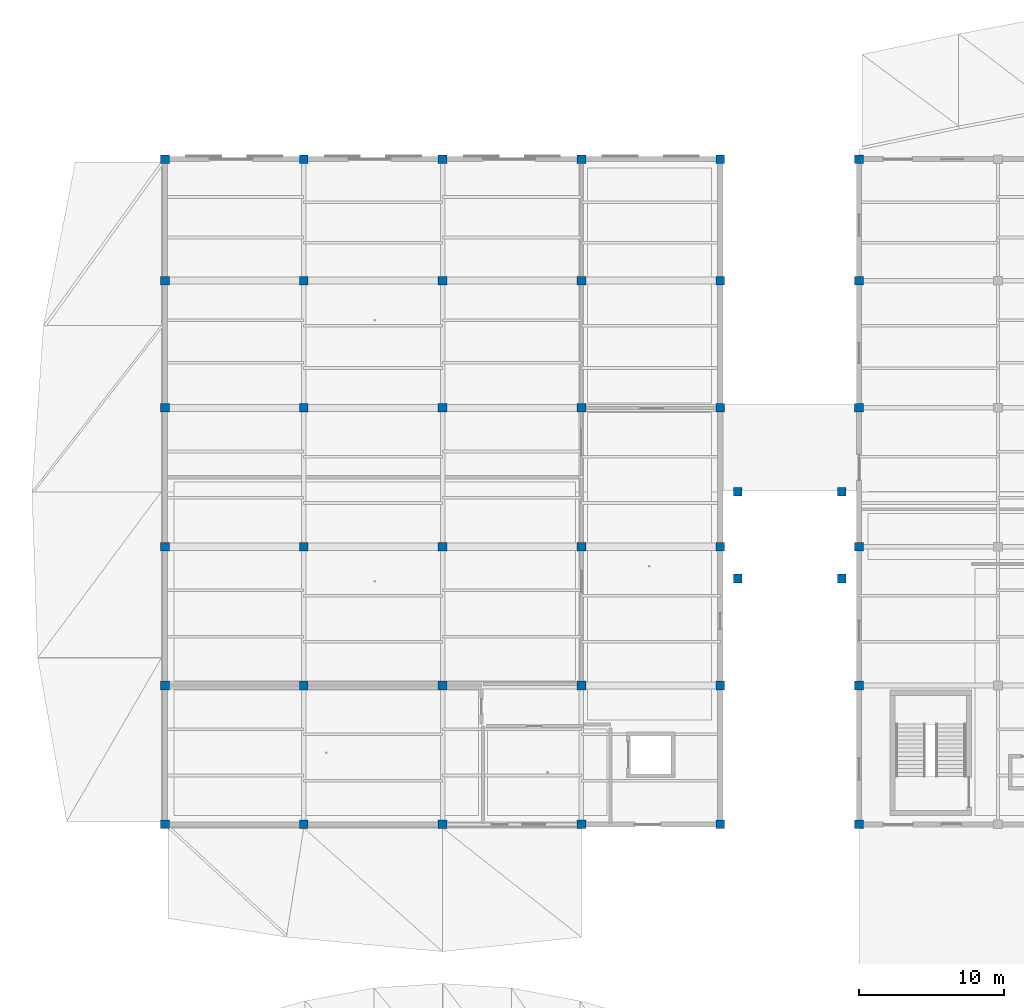
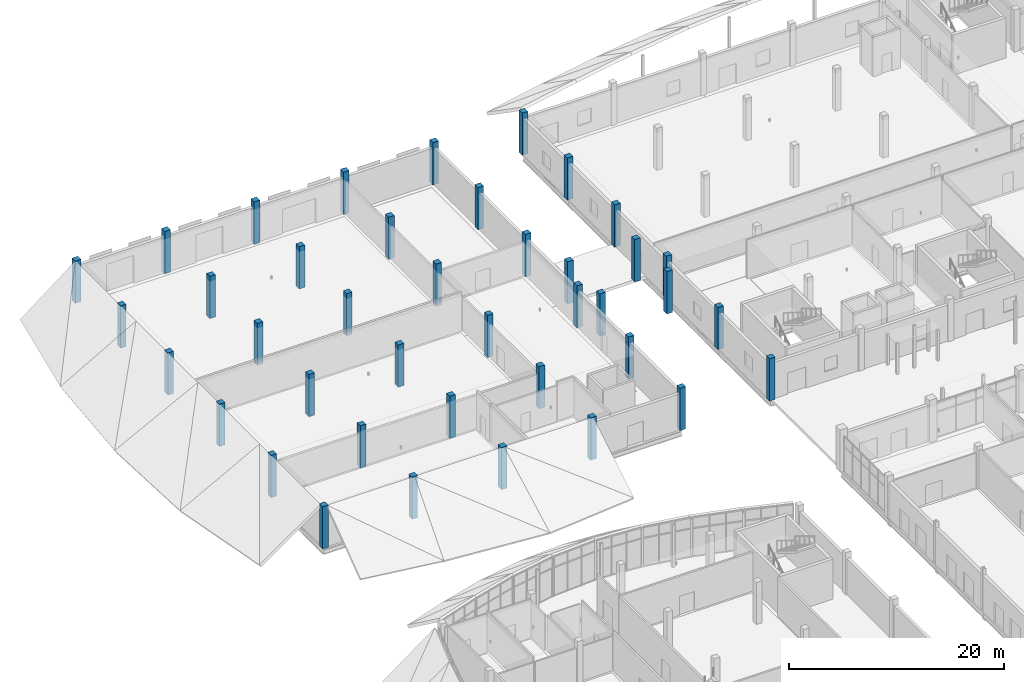
# One storey, part 8 of 116: 40 columns.
"""IFC4 building model written with IfcOpenShell, lengths in metres."""

from ifc_helpers import new_model, si_unit, direction, frame, origin, origin_2d, place, context, subcontext, project, spatial, rectangle, extrude, material, material_profile, profile_set, type_object, element, save


model = new_model("IFC4")

# Units and contexts
model_context = context("Model", 3, precision=1e-05, world=origin(), true_north=direction((0.0, 1.0)))
body_context = subcontext(model_context, "Body", "Model", "MODEL_VIEW")
ifc_project = project(units=[si_unit("LENGTHUNIT", "METRE"), si_unit("AREAUNIT", "SQUARE_METRE"), si_unit("VOLUMEUNIT", "CUBIC_METRE"), si_unit("PLANEANGLEUNIT", "RADIAN"), si_unit("MASSUNIT", "GRAM", prefix="KILO")], contexts=[model_context])

# Site, building, storey
site_placement = place(None, origin())
site = spatial("IfcSite", under=ifc_project, at=site_placement, CompositionType="ELEMENT")
building_placement = place(site_placement, origin())
building = spatial("IfcBuilding", under=site, at=building_placement, Name="Chalmorin Arch Market", CompositionType="ELEMENT")
storey_placement = place(building_placement, origin())
storey = spatial("IfcBuildingStorey", under=building, at=storey_placement, Name="L00", CompositionType="ELEMENT", Elevation=0.0)

# Columns
ifc_material = material(Name="Concrete C40/50", Category="concrete")
ifc_material_profile = material_profile(ifc_material, rectangle(XDim=0.60009765625, YDim=0.60009765625, at=origin_2d()), Name="RC600X600")
ifc_profile_set = profile_set([ifc_material_profile], Name="Concrete C40/50")
column_type = type_object("IfcColumnType", Name="InteriorConcreteColumn-600x600", PredefinedType="COLUMN", material=ifc_profile_set)
for number, where, z_axis, x_axis, name in (
    (1, (0.0, 72.0, 0.0), (0.0, 0.0, 1.0), (1.0, 0.0, 0.0), "C-RC2-028"),
    (2, (0.0, 81.60009765625, 0.0), (0.0, 0.0, 1.0), (1.0, 0.0, 0.0), "C-RC2-030"),
    (3, (0.0, 91.199951171875, 0.0), (0.0, 0.0, 1.0), (1.0, 0.0, 0.0), "C-RC2-032"),
    (4, (0.0, 100.800048828125, 0.0), (0.0, 0.0, 1.0), (1.0, 0.0, 0.0), "C-RC2-034"),
    (5, (0.0, 109.60009765625, 0.0), (0.0, 0.0, 1.0), (1.0, 0.0, 0.0), "C-RC2-036"),
    (6, (0.0, 118.0, 0.0), (0.0, 0.0, 1.0), (1.0, 0.0, 0.0), "C-RC2-038"),
    (7, (9.60009765625, 72.0, 0.0), (0.0, 0.0, 1.0), (1.0, 0.0, 0.0), "C-RC2-066"),
    (8, (9.60009765625, 81.60009765625, 0.0), (0.0, 0.0, 1.0), (1.0, 0.0, 0.0), "C-RC2-068"),
    (9, (9.60009765625, 91.199951171875, 0.0), (0.0, 0.0, 1.0), (1.0, 0.0, 0.0), "C-RC2-070"),
    (10, (9.60009765625, 100.800048828125, 0.0), (0.0, 0.0, 1.0), (1.0, 0.0, 0.0), "C-RC2-072"),
    (11, (9.60009765625, 109.60009765625, 0.0), (0.0, 0.0, 1.0), (1.0, 0.0, 0.0), "C-RC2-074"),
    (12, (9.60009765625, 118.0, 0.0), (0.0, 0.0, 1.0), (1.0, 0.0, 0.0), "C-RC2-076"),
    (13, (19.199951171875, 72.0, 0.0), (0.0, 0.0, 1.0), (1.0, 0.0, 0.0), "C-RC2-103"),
    (14, (19.199951171875, 81.60009765625, 0.0), (0.0, 0.0, 1.0), (1.0, 0.0, 0.0), "C-RC2-105"),
    (15, (19.199951171875, 91.199951171875, 0.0), (0.0, 0.0, 1.0), (1.0, 0.0, 0.0), "C-RC2-107"),
    (16, (19.199951171875, 100.800048828125, 0.0), (0.0, 0.0, 1.0), (1.0, 0.0, 0.0), "C-RC2-109"),
    (17, (19.199951171875, 109.60009765625, 0.0), (0.0, 0.0, 1.0), (1.0, 0.0, 0.0), "C-RC2-111"),
    (18, (19.199951171875, 118.0, 0.0), (0.0, 0.0, 1.0), (1.0, 0.0, 0.0), "C-RC2-113"),
    (19, (28.800048828125, 72.0, 0.0), (0.0, 0.0, 1.0), (1.0, 0.0, 0.0), "C-RC2-140"),
    (20, (28.800048828125, 81.60009765625, 0.0), (0.0, 0.0, 1.0), (1.0, 0.0, 0.0), "C-RC2-142"),
    (21, (28.800048828125, 91.199951171875, 0.0), (0.0, 0.0, 1.0), (1.0, 0.0, 0.0), "C-RC2-144"),
    (22, (28.800048828125, 100.800048828125, 0.0), (0.0, 0.0, 1.0), (1.0, 0.0, 0.0), "C-RC2-146"),
    (23, (28.800048828125, 109.60009765625, 0.0), (0.0, 0.0, 1.0), (1.0, 0.0, 0.0), "C-RC2-148"),
    (24, (28.800048828125, 118.0, 0.0), (0.0, 0.0, 1.0), (1.0, 0.0, 0.0), "C-RC2-150"),
    (25, (38.39990234375, 72.0, 0.0), (0.0, 0.0, 1.0), (1.0, 0.0, 0.0), "C-RC2-177"),
    (26, (38.39990234375, 81.60009765625, 0.0), (0.0, 0.0, 1.0), (1.0, 0.0, 0.0), "C-RC2-179"),
    (27, (38.39990234375, 91.199951171875, 0.0), (0.0, 0.0, 1.0), (1.0, 0.0, 0.0), "C-RC2-181"),
    (28, (38.39990234375, 100.800048828125, 0.0), (0.0, 0.0, 1.0), (1.0, 0.0, 0.0), "C-RC2-183"),
    (29, (38.39990234375, 109.60009765625, 0.0), (0.0, 0.0, 1.0), (1.0, 0.0, 0.0), "C-RC2-185"),
    (30, (38.39990234375, 118.0, 0.0), (0.0, 0.0, 1.0), (1.0, 0.0, 0.0), "C-RC2-187"),
    (31, (48.0, 72.0, 0.0), (0.0, 0.0, 1.0), (1.0, 0.0, 0.0), "C-RC2-226"),
    (32, (48.0, 81.60009765625, 0.0), (0.0, 0.0, 1.0), (1.0, 0.0, 0.0), "C-RC2-231"),
    (33, (48.0, 91.199951171875, 0.0), (0.0, 0.0, 1.0), (1.0, 0.0, 0.0), "C-RC2-236"),
    (34, (48.0, 100.800048828125, 0.0), (0.0, 0.0, 1.0), (1.0, 0.0, 0.0), "C-RC2-241"),
    (35, (48.0, 109.60009765625, 0.0), (0.0, 0.0, 1.0), (1.0, 0.0, 0.0), "C-RC2-246"),
    (36, (48.0, 118.0, 0.0), (0.0, 0.0, 1.0), (1.0, 0.0, 0.0), "C-RC2-251"),
    (37, (39.60009765625, 89.0, 0.0), (0.0, 0.0, 1.0), (1.0, 0.0, 0.0), "C-RC2-749"),
    (38, (39.60009765625, 95.0, 0.0), (0.0, 0.0, 1.0), (1.0, 0.0, 0.0), "C-RC2-752"),
    (39, (46.800048828125, 89.0, 0.0), (0.0, 0.0, 1.0), (1.0, 0.0, 0.0), "C-RC2-755"),
    (40, (46.800048828125, 95.0, 0.0), (0.0, 0.0, 1.0), (1.0, 0.0, 0.0), "C-RC2-758"),
):
    element("IfcColumn", number, at=place(storey_placement, frame(where, z_axis=z_axis, x_axis=x_axis)), inside=storey, type_object=column_type, Name=name, PredefinedType="COLUMN", context=body_context, shape_type="SweptSolid", body=[
        extrude(rectangle(XDim=0.60009765625, YDim=0.60009765625, at=origin_2d()), origin(), (0.0, 0.0, 1.0), 4.800048828125),
    ])

save(model, "model.ifc")
